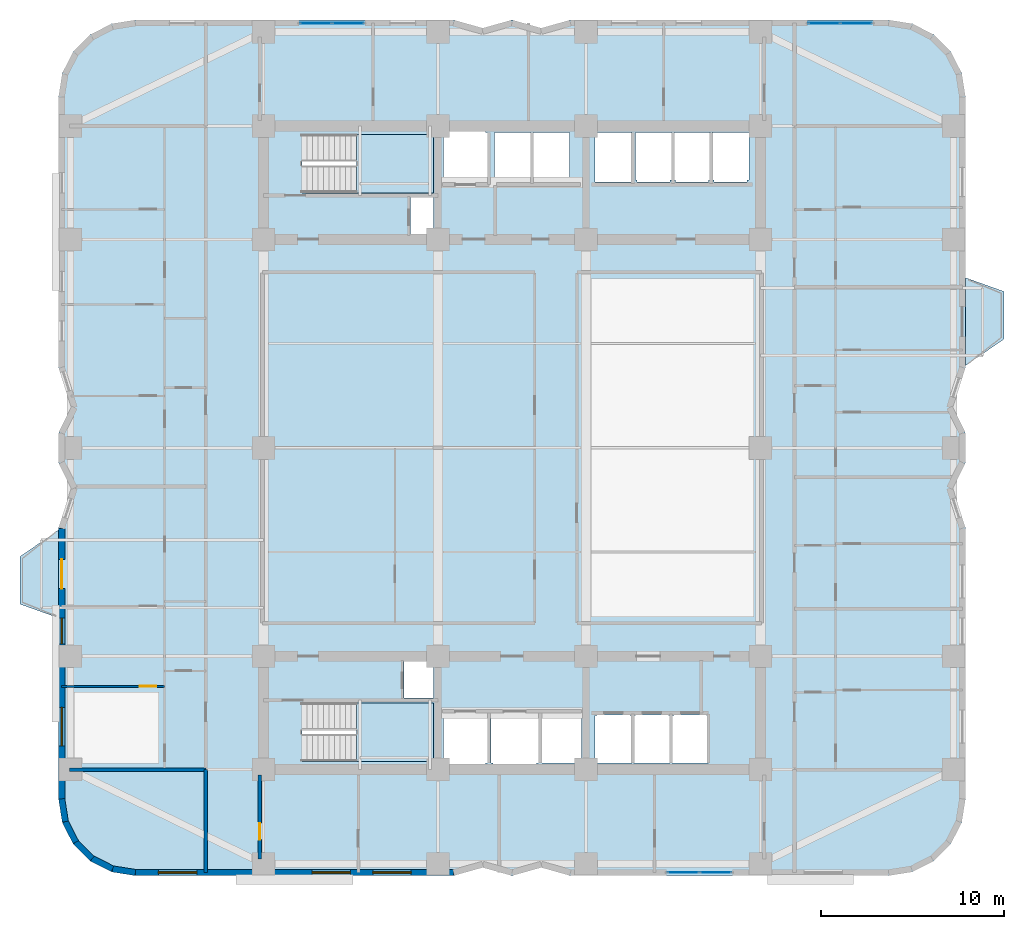
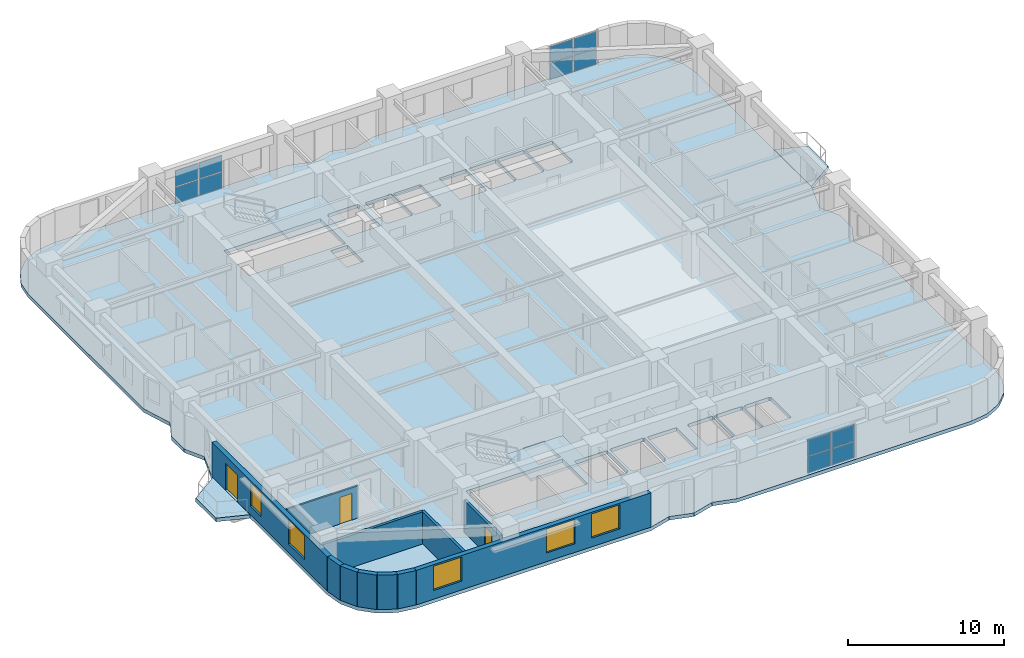
# One storey, part 5 of 13: 12 plates, 11 walls, 5 slabs, 5 windows, 3 doors, 8 openings, 5 elements without a shape of their own.
"""IFC4 building model written with IfcOpenShell, lengths in metres."""

import ifcopenshell
import ifcopenshell.guid

model = None  # the IFC model being written
_history = None  # IfcOwnerHistory: only IFC2X3 demands one
_inside = {}  # id of a spatial element -> (the spatial element, [elements in it])
_under = {}  # id of a project, library or spatial element -> (it, [spatial elements below it])
_declared = {}  # id of a project -> (the project, [libraries it declares])
_typed = {}  # id of a type object -> (the type object, [elements of that type])
_made_of = {}  # id of a material, layer set ... -> (it, [elements and type objects made of it])


def new_model(schema):
    """Start an empty IFC model of exactly this schema.

    Asked for "IFC4X3", IfcOpenShell would pick the latest addendum, in which some entities
    have other attributes; the version numbers below select the first issue.
    IFC2X3 requires an IfcOwnerHistory on every rooted entity: one is made here for all.
    """
    global model, _history
    if schema == "IFC4X3":
        model = ifcopenshell.file(schema_version=(4, 3, 0, 0))
    else:
        model = ifcopenshell.file(schema=schema)
    _inside.clear()
    _under.clear()
    _declared.clear()
    _typed.clear()
    _made_of.clear()
    _history = None
    if model.schema == "IFC2X3":
        org = make("IfcOrganization", Name="unknown")
        user = make(
            "IfcPersonAndOrganization",
            ThePerson=make("IfcPerson", FamilyName="unknown"),
            TheOrganization=org,
        )
        app = make(
            "IfcApplication",
            ApplicationDeveloper=org,
            Version="unknown",
            ApplicationFullName="unknown",
            ApplicationIdentifier="unknown",
        )
        _history = make(
            "IfcOwnerHistory",
            OwningUser=user,
            OwningApplication=app,
            ChangeAction="ADDED",
            CreationDate=0,
        )
    return model


def make(cls, **values):
    """One entity of the class cls with the attributes given. An attribute that is None is left unset."""
    return model.create_entity(
        cls, **{name: value for name, value in values.items() if value is not None}
    )


def rooted(cls, **values):
    """An entity with a GlobalId (a new one), such as an element, a storey or a relation."""
    return make(cls, GlobalId=ifcopenshell.guid.new(), OwnerHistory=_history, **values)


def si_unit(unit_type, name, prefix=None):
    """IfcSIUnit, for example si_unit("LENGTHUNIT", "METRE", prefix="MILLI")."""
    return make("IfcSIUnit", UnitType=unit_type, Prefix=prefix, Name=name)


def assignment(units):
    """IfcUnitAssignment: the units of a project."""
    return None if units is None else make("IfcUnitAssignment", Units=units)


def point(xyz):
    """IfcCartesianPoint."""
    return None if xyz is None else make("IfcCartesianPoint", Coordinates=xyz)


def direction(xyz):
    """IfcDirection."""
    return None if xyz is None else make("IfcDirection", DirectionRatios=xyz)


def frame(location, z_axis=None, x_axis=None):
    """IfcAxis2Placement3D, a coordinate frame: its origin and axes. An axis left out is left unset."""
    return make(
        "IfcAxis2Placement3D",
        Location=point(location),
        Axis=direction(z_axis),
        RefDirection=direction(x_axis),
    )


def frame_2d(location, x_axis=None):
    """IfcAxis2Placement2D, a coordinate frame in the plane: its origin and x axis."""
    return make(
        "IfcAxis2Placement2D", Location=point(location), RefDirection=direction(x_axis)
    )


def origin():
    """The frame at (0, 0, 0) with its axes left unset."""
    return frame((0.0, 0.0, 0.0))


def origin_2d():
    """The frame at (0, 0) in the plane with its x axis left unset."""
    return frame_2d((0.0, 0.0))


def place(relative_to, where):
    """IfcLocalPlacement: puts the frame where relative to a parent placement (None: the world)."""
    return make(
        "IfcLocalPlacement", PlacementRelTo=relative_to, RelativePlacement=where
    )


def context(
    kind, dimensions, precision=None, world=None, true_north=None, identifier=None
):
    """IfcGeometricRepresentationContext, for example the 3D "Model" context."""
    return make(
        "IfcGeometricRepresentationContext",
        ContextIdentifier=identifier,
        ContextType=kind,
        CoordinateSpaceDimension=dimensions,
        Precision=precision,
        WorldCoordinateSystem=world,
        TrueNorth=true_north,
    )


def subcontext(parent, identifier, kind, view, scale=None):
    """IfcGeometricRepresentationSubContext, for example "Body" below "Model"."""
    return make(
        "IfcGeometricRepresentationSubContext",
        ContextIdentifier=identifier,
        ContextType=kind,
        ParentContext=parent,
        TargetScale=scale,
        TargetView=view,
    )


def project(units=None, contexts=None):
    """IfcProject with its units and contexts."""
    return rooted(
        "IfcProject",
        Name="project",
        RepresentationContexts=contexts,
        UnitsInContext=assignment(units),
    )


def spatial(cls, under=None, at=None, **own):
    """A site, building, storey or space (cls), placed at a placement, below another one or the project."""
    s = rooted(cls, ObjectPlacement=at, **own)
    if under is not None:
        _under.setdefault(under.id(), (under, []))[1].append(s)
    return s


def polyline(points):
    """IfcPolyline through the points."""
    return make("IfcPolyline", Points=[point(p) for p in points])


def profile(cls, at=None, kind="AREA", **sizes):
    """A parametric profile (cls). Its sizes go by their IFC names, for example OverallWidth=200.0."""
    return make(cls, ProfileType=kind, Position=at, **sizes)


def rectangle(**sizes):
    """IfcRectangleProfileDef."""
    return profile("IfcRectangleProfileDef", **sizes)


def outline(outer, holes=None, kind="AREA"):
    """IfcArbitraryClosedProfileDef: a profile drawn as a closed curve; with holes, ...WithVoids."""
    if holes is None:
        return make("IfcArbitraryClosedProfileDef", ProfileType=kind, OuterCurve=outer)
    return make(
        "IfcArbitraryProfileDefWithVoids",
        ProfileType=kind,
        OuterCurve=outer,
        InnerCurves=holes,
    )


def extrude(swept, where, along, depth):
    """IfcExtrudedAreaSolid: the profile swept, set in the frame where, extruded along a direction by depth."""
    return make(
        "IfcExtrudedAreaSolid",
        SweptArea=swept,
        Position=where,
        ExtrudedDirection=direction(along),
        Depth=depth,
    )


def shape(context_of_items, identifier, shape_type, items):
    """IfcShapeRepresentation: the items that make up one representation, for example the "Body"."""
    return make(
        "IfcShapeRepresentation",
        ContextOfItems=context_of_items,
        RepresentationIdentifier=identifier,
        RepresentationType=shape_type,
        Items=items,
    )


def material(Name=None, Category=None):
    """IfcMaterial."""
    return make("IfcMaterial", Name=Name, Category=Category)


def layer(
    of_material, thickness, ventilated=None, Name=None, Category=None, Priority=None
):
    """IfcMaterialLayer: one layer of a wall or slab, of a material (None: an air gap)."""
    return make(
        "IfcMaterialLayer",
        Material=of_material,
        LayerThickness=thickness,
        IsVentilated=ventilated,
        Name=Name,
        Category=Category,
        Priority=Priority,
    )


def layer_set(layers, Name=None):
    """IfcMaterialLayerSet."""
    return make("IfcMaterialLayerSet", MaterialLayers=layers, LayerSetName=Name)


def made_of(thing, what):
    """Note that an element or type object is made of a material, layer set ...; save() writes the relation."""
    if what is not None:
        _made_of.setdefault(what.id(), (what, []))[1].append(thing)
    return thing


def type_object(cls, material=None, **own):
    """A type object (cls), such as IfcWallType, which elements share."""
    return made_of(rooted(cls, **own), material)


def element(
    cls,
    number,
    at=None,
    inside=None,
    cuts=None,
    type_object=None,
    material=None,
    context=None,
    identifier="Body",
    shape_type=None,
    held_by="IfcProductDefinitionShape",
    body=None,
    shapes=None,
    **own,
):
    """One element of the class cls, such as IfcWall. Its Tag is "e" and its number.

    at: its placement. inside: the storey or other place that contains it. cuts: it is an
    opening in that element (IfcRelVoidsElement). A single representation is given by context,
    identifier, shape_type and body (its items); several are given by shapes. held_by: the class
    of the entity that holds the representations. save() writes the other relations.
    """
    e = rooted(cls, Tag="e%d" % number, ObjectPlacement=at, **own)
    if body is not None:
        shapes = [shape(context, identifier, shape_type, body)]
    if shapes is not None:
        e.Representation = make(held_by, Representations=shapes)
    if inside is not None:
        _inside.setdefault(inside.id(), (inside, []))[1].append(e)
    if cuts is not None:
        rooted(
            "IfcRelVoidsElement", RelatingBuildingElement=cuts, RelatedOpeningElement=e
        )
    if type_object is not None:
        _typed.setdefault(type_object.id(), (type_object, []))[1].append(e)
    return made_of(e, material)


def fill(opening, filler):
    """IfcRelFillsElement: the door or window that sits in an opening."""
    return rooted(
        "IfcRelFillsElement",
        RelatingOpeningElement=opening,
        RelatedBuildingElement=filler,
    )


def aggregate(whole, parts):
    """IfcRelAggregates: a whole, such as a stair, and the parts it consists of."""
    return rooted("IfcRelAggregates", RelatingObject=whole, RelatedObjects=parts)


def save(model, path):
    """Write the relations noted so far, then the file.

    IfcRelAggregates (storeys below a building ...), IfcRelContainedInSpatialStructure (elements
    in a storey), IfcRelDefinesByType, IfcRelAssociatesMaterial and IfcRelDeclares: one each for
    every whole, place, type object, material and project.
    """
    for whole, parts in _under.values():
        aggregate(whole, parts)
    for where, things in _inside.values():
        rooted(
            "IfcRelContainedInSpatialStructure",
            RelatedElements=things,
            RelatingStructure=where,
        )
    for kind, things in _typed.values():
        rooted("IfcRelDefinesByType", RelatedObjects=things, RelatingType=kind)
    for what, things in _made_of.values():
        rooted("IfcRelAssociatesMaterial", RelatedObjects=things, RelatingMaterial=what)
    for by, libraries in _declared.values():
        rooted("IfcRelDeclares", RelatingContext=by, RelatedDefinitions=libraries)
    model.write(path)


model = new_model("IFC4")

# Units and contexts
model_context = context("Model", 3, precision=1e-05, world=origin(), true_north=direction((0.0, 1.0)))
body_context = subcontext(model_context, "Body", "Model", "MODEL_VIEW")
ifc_project = project(units=[si_unit("LENGTHUNIT", "METRE"), si_unit("AREAUNIT", "SQUARE_METRE"), si_unit("VOLUMEUNIT", "CUBIC_METRE"), si_unit("PLANEANGLEUNIT", "RADIAN"), si_unit("MASSUNIT", "GRAM", prefix="KILO")], contexts=[model_context])

# Site, building, storey
site_placement = place(None, origin())
site = spatial("IfcSite", under=ifc_project, at=site_placement, CompositionType="ELEMENT")
building_placement = place(site_placement, origin())
building = spatial("IfcBuilding", under=site, at=building_placement, Name="Svetorya Sky Lyceum", CompositionType="ELEMENT")
storey_placement = place(building_placement, frame((0.0, 0.0, 58.39990234375)))
storey = spatial("IfcBuildingStorey", under=building, at=storey_placement, Name="L14", CompositionType="ELEMENT", Elevation=58.39990234375)

# Curtain wall, plates
ifc_material_1 = material(Name="Thermally broken anodized aluminium and triple low-E glass", Category="aluminium")
curtain_wall_type = type_object("IfcCurtainWallType", Name="CW3-LOG-RES", PredefinedType="NOTDEFINED", material=ifc_material_1)
curtain_wall_1_placement = place(storey_placement, origin())
curtain_wall_1 = element("IfcCurtainWall", 1, at=curtain_wall_1_placement, inside=storey, type_object=curtain_wall_type, Name="L14 Recessed Loggia Curtain Wall 11", PredefinedType="NOTDEFINED")
ifc_material_2 = material(Name="Triple insulated low-E solar-control glass", Category="glass")
ifc_layer_1 = layer(ifc_material_2, 0.048095703125)
ifc_layer_set_1 = layer_set([ifc_layer_1], Name="Triple insulated low-E solar-control glass")
plate_type = type_object("IfcPlateType", Name="CWP-GLZ-48", PredefinedType="CURTAIN_PANEL", material=ifc_layer_set_1)
plate_1_placement = place(storey_placement, frame((48.566162109375, 4.969970703125, 0.0634765625), z_axis=(0.0, 0.0, 1.0), x_axis=(1.0, 0.0, 0.0)))
plate_1 = element("IfcPlate", 2, at=plate_1_placement, type_object=plate_type, Name="CW-3 panel 1.1", PredefinedType="CURTAIN_PANEL", context=body_context, shape_type="SweptSolid", body=[
    extrude(rectangle(XDim=1.70556640625, YDim=0.048095703125, at=origin_2d()), origin(), (0.0, 0.0, 1.0), 1.255615234375),
])
plate_2_placement = place(storey_placement, frame((48.566162109375, 4.969970703125, 1.380859375), z_axis=(0.0, 0.0, 1.0), x_axis=(1.0, 0.0, 0.0)))
plate_2 = element("IfcPlate", 3, at=plate_2_placement, type_object=plate_type, Name="CW-3 panel 1.2", PredefinedType="CURTAIN_PANEL", context=body_context, shape_type="SweptSolid", body=[
    extrude(rectangle(XDim=1.70556640625, YDim=0.048095703125, at=origin_2d()), origin(), (0.0, 0.0, 1.0), 1.255615234375),
])
plate_3_placement = place(storey_placement, frame((50.333740234375, 4.969970703125, 0.0634765625), z_axis=(0.0, 0.0, 1.0), x_axis=(1.0, 0.0, 0.0)))
plate_3 = element("IfcPlate", 4, at=plate_3_placement, type_object=plate_type, Name="CW-3 panel 2.1", PredefinedType="CURTAIN_PANEL", context=body_context, shape_type="SweptSolid", body=[
    extrude(rectangle(XDim=1.70556640625, YDim=0.048095703125, at=origin_2d()), origin(), (0.0, 0.0, 1.0), 1.255615234375),
])
plate_4_placement = place(storey_placement, frame((50.333740234375, 4.969970703125, 1.380859375), z_axis=(0.0, 0.0, 1.0), x_axis=(1.0, 0.0, 0.0)))
plate_4 = element("IfcPlate", 5, at=plate_4_placement, type_object=plate_type, Name="CW-3 panel 2.2", PredefinedType="CURTAIN_PANEL", context=body_context, shape_type="SweptSolid", body=[
    extrude(rectangle(XDim=1.70556640625, YDim=0.048095703125, at=origin_2d()), origin(), (0.0, 0.0, 1.0), 1.255615234375),
])
aggregate(curtain_wall_1, [plate_1, plate_2, plate_3, plate_4])

curtain_wall_2_placement = place(storey_placement, origin())
curtain_wall_2 = element("IfcCurtainWall", 6, at=curtain_wall_2_placement, inside=storey, type_object=curtain_wall_type, Name="L14 Recessed Loggia Curtain Wall 29", PredefinedType="NOTDEFINED")
plate_5_placement = place(storey_placement, frame((58.03369140625, 51.429931640625, 0.0634765625), z_axis=(0.0, 0.0, 1.0), x_axis=(-1.0, 0.0, 0.0)))
plate_5 = element("IfcPlate", 7, at=plate_5_placement, type_object=plate_type, Name="CW-3 panel 1.1", PredefinedType="CURTAIN_PANEL", context=body_context, shape_type="SweptSolid", body=[
    extrude(rectangle(XDim=1.70556640625, YDim=0.048095703125, at=origin_2d()), origin(), (0.0, 0.0, 1.0), 1.255615234375),
])
plate_6_placement = place(storey_placement, frame((58.03369140625, 51.429931640625, 1.380859375), z_axis=(0.0, 0.0, 1.0), x_axis=(-1.0, 0.0, 0.0)))
plate_6 = element("IfcPlate", 8, at=plate_6_placement, type_object=plate_type, Name="CW-3 panel 1.2", PredefinedType="CURTAIN_PANEL", context=body_context, shape_type="SweptSolid", body=[
    extrude(rectangle(XDim=1.70556640625, YDim=0.048095703125, at=origin_2d()), origin(), (0.0, 0.0, 1.0), 1.255615234375),
])
plate_7_placement = place(storey_placement, frame((56.266357421875, 51.429931640625, 0.0634765625), z_axis=(0.0, 0.0, 1.0), x_axis=(-1.0, 0.0, 0.0)))
plate_7 = element("IfcPlate", 9, at=plate_7_placement, type_object=plate_type, Name="CW-3 panel 2.1", PredefinedType="CURTAIN_PANEL", context=body_context, shape_type="SweptSolid", body=[
    extrude(rectangle(XDim=1.70556640625, YDim=0.048095703125, at=origin_2d()), origin(), (0.0, 0.0, 1.0), 1.255615234375),
])
plate_8_placement = place(storey_placement, frame((56.266357421875, 51.429931640625, 1.380859375), z_axis=(0.0, 0.0, 1.0), x_axis=(-1.0, 0.0, 0.0)))
plate_8 = element("IfcPlate", 10, at=plate_8_placement, type_object=plate_type, Name="CW-3 panel 2.2", PredefinedType="CURTAIN_PANEL", context=body_context, shape_type="SweptSolid", body=[
    extrude(rectangle(XDim=1.70556640625, YDim=0.048095703125, at=origin_2d()), origin(), (0.0, 0.0, 1.0), 1.255615234375),
])
aggregate(curtain_wall_2, [plate_5, plate_6, plate_7, plate_8])

curtain_wall_3_placement = place(storey_placement, origin())
curtain_wall_3 = element("IfcCurtainWall", 11, at=curtain_wall_3_placement, inside=storey, type_object=curtain_wall_type, Name="L14 Recessed Loggia Curtain Wall 34", PredefinedType="NOTDEFINED")
plate_9_placement = place(storey_placement, frame((30.233642578125, 51.429931640625, 0.0634765625), z_axis=(0.0, 0.0, 1.0), x_axis=(-1.0, 0.0, 0.0)))
plate_9 = element("IfcPlate", 12, at=plate_9_placement, type_object=plate_type, Name="CW-3 panel 1.1", PredefinedType="CURTAIN_PANEL", context=body_context, shape_type="SweptSolid", body=[
    extrude(rectangle(XDim=1.70556640625, YDim=0.048095703125, at=origin_2d()), origin(), (0.0, 0.0, 1.0), 1.255615234375),
])
plate_10_placement = place(storey_placement, frame((30.233642578125, 51.429931640625, 1.380859375), z_axis=(0.0, 0.0, 1.0), x_axis=(-1.0, 0.0, 0.0)))
plate_10 = element("IfcPlate", 13, at=plate_10_placement, type_object=plate_type, Name="CW-3 panel 1.2", PredefinedType="CURTAIN_PANEL", context=body_context, shape_type="SweptSolid", body=[
    extrude(rectangle(XDim=1.70556640625, YDim=0.048095703125, at=origin_2d()), origin(), (0.0, 0.0, 1.0), 1.255615234375),
])
plate_11_placement = place(storey_placement, frame((28.46630859375, 51.429931640625, 0.0634765625), z_axis=(0.0, 0.0, 1.0), x_axis=(-1.0, 0.0, 0.0)))
plate_11 = element("IfcPlate", 14, at=plate_11_placement, type_object=plate_type, Name="CW-3 panel 2.1", PredefinedType="CURTAIN_PANEL", context=body_context, shape_type="SweptSolid", body=[
    extrude(rectangle(XDim=1.70556640625, YDim=0.048095703125, at=origin_2d()), origin(), (0.0, 0.0, 1.0), 1.255615234375),
])
plate_12_placement = place(storey_placement, frame((28.46630859375, 51.429931640625, 1.380859375), z_axis=(0.0, 0.0, 1.0), x_axis=(-1.0, 0.0, 0.0)))
plate_12 = element("IfcPlate", 15, at=plate_12_placement, type_object=plate_type, Name="CW-3 panel 2.2", PredefinedType="CURTAIN_PANEL", context=body_context, shape_type="SweptSolid", body=[
    extrude(rectangle(XDim=1.70556640625, YDim=0.048095703125, at=origin_2d()), origin(), (0.0, 0.0, 1.0), 1.255615234375),
])
aggregate(curtain_wall_3, [plate_9, plate_10, plate_11, plate_12])

# Slabs
ifc_material_3 = material(Name="Concrete C40/50", Category="concrete")
ifc_layer_2 = layer(ifc_material_3, 0.280029296875)
ifc_layer_set_2 = layer_set([ifc_layer_2], Name="Concrete C40/50")
slab_type_1 = type_object("IfcSlabType", Name="SL-BAL-280", PredefinedType="FLOOR", material=ifc_layer_set_2)
slab_1_placement = place(storey_placement, frame((0.0, 0.0, -0.27978515625)))
element("IfcSlab", 16, at=slab_1_placement, inside=storey, type_object=slab_type_1, Name="L14 Chamfered Loggia Balcony BAL-W1", PredefinedType="FLOOR", context=body_context, shape_type="SweptSolid", body=[
    extrude(outline(polyline([(14.389892578125, 18.89990234375), (14.389892578125, 23.699951171875), (12.2900390625, 22.25), (12.2900390625, 19.64990234375), (14.389892578125, 18.89990234375)])), origin(), (0.0, 0.0, 1.0), 0.27978515625),
])
slab_2_placement = place(storey_placement, frame((0.0, 0.0, -0.27978515625)))
element("IfcSlab", 17, at=slab_2_placement, inside=storey, type_object=slab_type_1, Name="L14 Chamfered Loggia Balcony BAL-E1", PredefinedType="FLOOR", context=body_context, shape_type="SweptSolid", body=[
    extrude(outline(polyline([(64.010009765625, 32.699951171875), (66.110107421875, 34.14990234375), (66.110107421875, 36.75), (64.010009765625, 37.5), (64.010009765625, 32.699951171875)])), origin(), (0.0, 0.0, 1.0), 0.27978515625),
])

# Stair, slab
stair_type_1 = type_object("IfcStairType", Name="STR-ST-S", PredefinedType="HALF_TURN_STAIR", material=ifc_material_3)
stair_1_placement = place(storey_placement, origin())
stair_1 = element("IfcStair", 18, at=stair_1_placement, inside=storey, type_object=stair_type_1, Name="L14 South Core Smoke-Free Exit Stair N2", PredefinedType="HALF_TURN_STAIR")
ifc_layer_3 = layer(ifc_material_3, 0.199951171875)
ifc_layer_set_3 = layer_set([ifc_layer_3], Name="Concrete C40/50")
slab_type_2 = type_object("IfcSlabType", Name="SL-STR-LAND-200", PredefinedType="LANDING", material=ifc_layer_set_3)
slab_3_placement = place(storey_placement, frame((0.0, 0.0, 1.650146484375)))
slab_3 = element("IfcSlab", 19, at=slab_3_placement, type_object=slab_type_2, Name="ST-S landing 1", PredefinedType="LANDING", context=body_context, shape_type="SweptSolid", body=[
    extrude(outline(polyline([(30.699951171875, 11.050048828125), (34.89990234375, 11.050048828125), (34.89990234375, 14.25), (30.699951171875, 14.25), (30.699951171875, 11.050048828125)])), origin(), (0.0, 0.0, 1.0), 0.199951171875),
])
aggregate(stair_1, [slab_3])

stair_type_2 = type_object("IfcStairType", Name="STR-ST-N", PredefinedType="HALF_TURN_STAIR", material=ifc_material_3)
stair_2_placement = place(storey_placement, origin())
stair_2 = element("IfcStair", 20, at=stair_2_placement, inside=storey, type_object=stair_type_2, Name="L14 North Core Smoke-Free Exit Stair N3", PredefinedType="HALF_TURN_STAIR")
slab_4_placement = place(storey_placement, frame((0.0, 0.0, 1.650146484375)))
slab_4 = element("IfcSlab", 21, at=slab_4_placement, type_object=slab_type_2, Name="ST-N landing 1", PredefinedType="LANDING", context=body_context, shape_type="SweptSolid", body=[
    extrude(outline(polyline([(30.699951171875, 42.14990234375), (34.89990234375, 42.14990234375), (34.89990234375, 45.35009765625), (30.699951171875, 45.35009765625), (30.699951171875, 42.14990234375)])), origin(), (0.0, 0.0, 1.0), 0.199951171875),
])
aggregate(stair_2, [slab_4])

# Slab
ifc_material_4 = material(Name="Concrete C50/60", Category="concrete")
ifc_layer_4 = layer(ifc_material_4, 0.280029296875)
ifc_layer_set_4 = layer_set([ifc_layer_4], Name="Concrete C50/60")
slab_type_3 = type_object("IfcSlabType", Name="SL-TWR-280", PredefinedType="FLOOR", material=ifc_layer_set_4)
slab_5_placement = place(storey_placement, frame((0.0, 0.0, -0.27978515625)))
element("IfcSlab", 22, at=slab_5_placement, inside=storey, type_object=slab_type_3, Name="L14 Structural Floor Slab", PredefinedType="FLOOR", context=body_context, shape_type="SweptSolid", body=[
    extrude(outline(polyline([(14.39990234375, 9.0), (14.605712890625, 7.7021484375), (15.2021484375, 6.53125), (16.13134765625, 5.60205078125), (17.302001953125, 5.005615234375), (18.60009765625, 4.800048828125), (36.0, 4.800048828125), (37.60009765625, 5.25), (39.199951171875, 4.800048828125), (40.800048828125, 5.25), (42.39990234375, 4.800048828125), (59.800048828125, 4.800048828125), (61.097900390625, 5.005615234375), (62.268798828125, 5.60205078125), (63.197998046875, 6.53125), (63.79443359375, 7.7021484375), (64.0, 9.0), (64.0, 23.800048828125), (63.300048828125, 26.0), (64.0, 27.39990234375), (64.0, 29.0), (63.300048828125, 30.39990234375), (64.0, 32.60009765625), (64.0, 47.39990234375), (63.79443359375, 48.697998046875), (63.197998046875, 49.86865234375), (62.268798828125, 50.7978515625), (61.097900390625, 51.394287109375), (59.800048828125, 51.60009765625), (42.39990234375, 51.60009765625), (40.800048828125, 51.14990234375), (39.199951171875, 51.60009765625), (37.60009765625, 51.14990234375), (36.0, 51.60009765625), (18.60009765625, 51.60009765625), (17.302001953125, 51.394287109375), (16.13134765625, 50.7978515625), (15.2021484375, 49.86865234375), (14.605712890625, 48.697998046875), (14.39990234375, 47.39990234375), (14.39990234375, 32.60009765625), (15.10009765625, 30.39990234375), (14.39990234375, 29.0), (14.39990234375, 27.39990234375), (15.10009765625, 26.0), (14.39990234375, 23.800048828125), (14.39990234375, 9.0)]), holes=[polyline([(35.550048828125, 13.64990234375), (37.75, 13.64990234375), (37.85009765625, 13.64990234375), (37.85009765625, 10.949951171875), (37.75, 10.949951171875), (37.75, 10.85009765625), (35.550048828125, 10.85009765625), (35.550048828125, 10.949951171875), (35.449951171875, 10.949951171875), (35.449951171875, 13.64990234375), (35.550048828125, 13.64990234375)]), polyline([(40.64990234375, 10.949951171875), (40.550048828125, 10.949951171875), (40.550048828125, 10.800048828125), (38.14990234375, 10.800048828125), (38.14990234375, 10.949951171875), (38.050048828125, 10.949951171875), (38.050048828125, 13.64990234375), (38.14990234375, 13.64990234375), (38.14990234375, 13.699951171875), (40.550048828125, 13.699951171875), (40.550048828125, 13.64990234375), (40.64990234375, 13.64990234375), (40.64990234375, 10.949951171875)]), polyline([(40.85009765625, 13.64990234375), (43.0, 13.64990234375), (43.0, 10.949951171875), (40.85009765625, 10.949951171875), (40.85009765625, 13.64990234375)]), polyline([(27.719970703125, 14.25), (34.89990234375, 14.25), (34.89990234375, 11.050048828125), (27.719970703125, 11.050048828125), (27.719970703125, 14.25)]), polyline([(33.300048828125, 16.580078125), (34.89990234375, 16.580078125), (34.89990234375, 14.52001953125), (33.300048828125, 14.52001953125), (33.300048828125, 16.580078125)]), polyline([(33.64990234375, 39.820068359375), (33.64990234375, 41.89990234375), (34.89990234375, 41.89990234375), (34.89990234375, 39.820068359375), (33.64990234375, 39.820068359375)]), polyline([(27.719970703125, 45.35009765625), (34.89990234375, 45.35009765625), (34.89990234375, 42.14990234375), (27.719970703125, 42.14990234375), (27.719970703125, 45.35009765625)]), polyline([(35.550048828125, 42.75), (35.449951171875, 42.75), (35.449951171875, 45.449951171875), (35.550048828125, 45.449951171875), (35.550048828125, 45.550048828125), (37.75, 45.550048828125), (37.75, 45.449951171875), (37.85009765625, 45.449951171875), (37.85009765625, 42.75), (37.75, 42.75), (35.550048828125, 42.75)]), polyline([(40.199951171875, 42.85009765625), (40.199951171875, 42.75), (38.39990234375, 42.75), (38.39990234375, 42.85009765625), (38.25, 42.85009765625), (38.25, 45.449951171875), (38.39990234375, 45.449951171875), (40.199951171875, 45.449951171875), (40.25, 45.449951171875), (40.25, 42.85009765625), (40.199951171875, 42.85009765625)]), polyline([(40.39990234375, 42.85009765625), (40.35009765625, 42.85009765625), (40.35009765625, 45.449951171875), (40.39990234375, 45.449951171875), (42.300048828125, 45.449951171875), (42.35009765625, 45.449951171875), (42.35009765625, 42.85009765625), (42.300048828125, 42.85009765625), (42.300048828125, 42.75), (40.39990234375, 42.75), (40.39990234375, 42.85009765625)]), polyline([(43.85009765625, 10.949951171875), (43.75, 10.949951171875), (43.75, 13.550048828125), (43.85009765625, 13.550048828125), (43.85009765625, 13.60009765625), (45.64990234375, 13.60009765625), (45.64990234375, 13.550048828125), (45.75, 13.550048828125), (45.75, 10.949951171875), (45.64990234375, 10.949951171875), (43.85009765625, 10.949951171875)]), polyline([(45.949951171875, 10.949951171875), (45.85009765625, 10.949951171875), (45.85009765625, 13.550048828125), (45.949951171875, 13.550048828125), (45.949951171875, 13.60009765625), (47.75, 13.60009765625), (47.75, 13.550048828125), (47.85009765625, 13.550048828125), (47.85009765625, 10.949951171875), (47.75, 10.949951171875), (45.949951171875, 10.949951171875)]), polyline([(49.85009765625, 13.550048828125), (49.949951171875, 13.550048828125), (49.949951171875, 10.949951171875), (49.85009765625, 10.949951171875), (48.050048828125, 10.949951171875), (47.949951171875, 10.949951171875), (47.949951171875, 13.550048828125), (48.050048828125, 13.550048828125), (48.050048828125, 13.60009765625), (49.85009765625, 13.60009765625), (49.85009765625, 13.550048828125)]), polyline([(43.75, 42.85009765625), (43.75, 45.449951171875), (45.699951171875, 45.449951171875), (45.75, 45.449951171875), (45.75, 42.85009765625), (45.699951171875, 42.85009765625), (45.699951171875, 42.75), (43.75, 42.75), (43.75, 42.85009765625)]), polyline([(46.050048828125, 42.85009765625), (45.949951171875, 42.85009765625), (45.949951171875, 45.449951171875), (46.050048828125, 45.449951171875), (47.85009765625, 45.449951171875), (47.949951171875, 45.449951171875), (47.949951171875, 42.85009765625), (47.85009765625, 42.85009765625), (47.85009765625, 42.75), (46.050048828125, 42.75), (46.050048828125, 42.85009765625)]), polyline([(48.14990234375, 42.85009765625), (48.050048828125, 42.85009765625), (48.050048828125, 45.449951171875), (48.14990234375, 45.449951171875), (49.949951171875, 45.449951171875), (50.050048828125, 45.449951171875), (50.050048828125, 42.85009765625), (49.949951171875, 42.85009765625), (49.949951171875, 42.75), (48.14990234375, 42.75), (48.14990234375, 42.85009765625)]), polyline([(50.25, 42.85009765625), (50.14990234375, 42.85009765625), (50.14990234375, 45.449951171875), (50.25, 45.449951171875), (52.050048828125, 45.449951171875), (52.14990234375, 45.449951171875), (52.14990234375, 42.85009765625), (52.050048828125, 42.85009765625), (52.050048828125, 42.75), (50.25, 42.75), (50.25, 42.85009765625)])]), origin(), (0.0, 0.0, 1.0), 0.27978515625),
])

# Walls
ifc_material_5 = material(Name="Putilovo limestone rainscreen on autoclaved cellular masonry", Category="masonry")
ifc_layer_5 = layer(ifc_material_5, 0.340087890625)
ifc_layer_set_5 = layer_set([ifc_layer_5], Name="Putilovo limestone rainscreen on autoclaved cellular masonry")
wall_type_1 = type_object("IfcWallType", Name="WL-EXT-340", PredefinedType="SOLIDWALL", material=ifc_layer_set_5)
wall_1_placement = place(storey_placement, frame((14.570068359375, 9.0, 0.0), z_axis=(0.0, 0.0, 1.0), x_axis=(0.156260864002, -0.98771582066, 0.0)))
element("IfcWall", 23, at=wall_1_placement, inside=storey, type_object=wall_type_1, Name="L14 Limestone Exterior Wall 1M", PredefinedType="SOLIDWALL", context=body_context, shape_type="SweptSolid", body=[
    extrude(rectangle(XDim=1.2607421875, YDim=0.340087890625, at=frame_2d((0.63037109375, 0.0))), origin(), (0.0, 0.0, 1.0), 2.7001953125),
])
wall_2_placement = place(storey_placement, frame((14.76708984375, 7.754638671875, 0.0), z_axis=(0.0, 0.0, 1.0), x_axis=(0.454015689056, -0.890993689142, 0.0)))
element("IfcWall", 24, at=wall_2_placement, inside=storey, type_object=wall_type_1, Name="L14 Limestone Exterior Wall 2M", PredefinedType="SOLIDWALL", context=body_context, shape_type="SweptSolid", body=[
    extrude(rectangle(XDim=1.260986328125, YDim=0.340087890625, at=frame_2d((0.63037109375, 0.0))), origin(), (0.0, 0.0, 1.0), 2.7001953125),
])
wall_3_placement = place(storey_placement, frame((15.339599609375, 6.631103515625, 0.0), z_axis=(0.0, 0.0, 1.0), x_axis=(0.707203598708, -0.707009950407, 0.0)))
element("IfcWall", 25, at=wall_3_placement, inside=storey, type_object=wall_type_1, Name="L14 Limestone Exterior Wall 3M", PredefinedType="SOLIDWALL", context=body_context, shape_type="SweptSolid", body=[
    extrude(rectangle(XDim=1.2607421875, YDim=0.340087890625, at=frame_2d((0.63037109375, 0.0))), origin(), (0.0, 0.0, 1.0), 2.7001953125),
])
for number, where, z_axis, x_axis, name in (
    (26, (16.231201171875, 5.73974609375, 0.0), (0.0, 0.0, 1.0), (0.890993689142, -0.454015689056, 0.0), "L14 Limestone Exterior Wall 4M"),
    (27, (17.354736328125, 5.167236328125, 0.0), (0.0, 0.0, 1.0), (0.987685918112, -0.15644975923, 0.0), "L14 Limestone Exterior Wall 5M"),
):
    element("IfcWall", number, at=place(storey_placement, frame(where, z_axis=z_axis, x_axis=x_axis)), inside=storey, type_object=wall_type_1, Name=name, PredefinedType="SOLIDWALL", context=body_context, shape_type="SweptSolid", body=[
        extrude(rectangle(XDim=1.260986328125, YDim=0.340087890625, at=frame_2d((0.63037109375, 0.0))), origin(), (0.0, 0.0, 1.0), 2.7001953125),
    ])

# Wall, openings, windows
wall_4_placement = place(storey_placement, frame((18.60009765625, 4.969970703125, 0.0), z_axis=(0.0, 0.0, 1.0), x_axis=(1.0, 0.0, 0.0)))
wall_4 = element("IfcWall", 28, at=wall_4_placement, inside=storey, type_object=wall_type_1, Name="L14 Limestone Exterior Wall 6M", PredefinedType="SOLIDWALL", context=body_context, shape_type="SweptSolid", body=[
    extrude(rectangle(XDim=17.39990234375, YDim=0.340087890625, at=frame_2d((8.699951171875, 0.0))), origin(), (0.0, 0.0, 1.0), 2.7001953125),
])
opening_1_placement = place(wall_4_placement, frame((1.262451171875, 0.0, 0.679931640625)))
opening_1 = element("IfcOpeningElement", 29, at=opening_1_placement, cuts=wall_4, Name="Opening W-R0", PredefinedType="OPENING", context=body_context, shape_type="SweptSolid", body=[
    extrude(rectangle(XDim=2.10009765625, YDim=1.89990234375, at=frame_2d((1.050048828125, 0.949951171875))), frame((0.0, 0.179931640625, 0.0), z_axis=(0.0, -1.0, 0.0), x_axis=(1.0, 0.0, 0.0)), (0.0, 0.0, 1.0), 0.360107421875),
])
opening_2_placement = place(wall_4_placement, frame((9.66259765625, 0.0, 0.679931640625)))
opening_2 = element("IfcOpeningElement", 30, at=opening_2_placement, cuts=wall_4, Name="Opening W-R0", PredefinedType="OPENING", context=body_context, shape_type="SweptSolid", body=[
    extrude(rectangle(XDim=2.10009765625, YDim=1.89990234375, at=frame_2d((1.050048828125, 0.949951171875))), frame((0.0, 0.179931640625, 0.0), z_axis=(0.0, -1.0, 0.0), x_axis=(1.0, 0.0, 0.0)), (0.0, 0.0, 1.0), 0.360107421875),
])
opening_3_placement = place(wall_4_placement, frame((12.987548828125, 0.0, 0.679931640625)))
opening_3 = element("IfcOpeningElement", 31, at=opening_3_placement, cuts=wall_4, Name="Opening W-R0", PredefinedType="OPENING", context=body_context, shape_type="SweptSolid", body=[
    extrude(rectangle(XDim=2.10009765625, YDim=1.89990234375, at=frame_2d((1.050048828125, 0.949951171875))), frame((0.0, 0.179931640625, 0.0), z_axis=(0.0, -1.0, 0.0), x_axis=(1.0, 0.0, 0.0)), (0.0, 0.0, 1.0), 0.360107421875),
])
ifc_material_6 = material(Name="Thermally broken aluminium frame with triple low-E glazing", Category="aluminium")
window_type_1 = type_object("IfcWindowType", Name="WN-RES-210", PartitioningType="TRIPLE_PANEL_VERTICAL", PredefinedType="WINDOW", material=ifc_material_6)
window_1_placement = place(opening_1_placement, origin())
window_1 = element("IfcWindow", 32, at=window_1_placement, inside=storey, type_object=window_type_1, Name="L14 Facade Window W-R0.6M.1", OverallHeight=1.89990234375, OverallWidth=2.10009765625, PartitioningType="SINGLE_PANEL", PredefinedType="WINDOW", context=body_context, shape_type="SweptSolid", body=[
    extrude(rectangle(XDim=2.10009765625, YDim=1.89990234375, at=frame_2d((1.050048828125, 0.949951171875))), frame((0.0, 0.030029296875, 0.0), z_axis=(0.0, -1.0, 0.0), x_axis=(1.0, 0.0, 0.0)), (0.0, 0.0, 1.0), 0.06005859375),
])
fill(opening_1, window_1)
window_2_placement = place(opening_2_placement, origin())
window_2 = element("IfcWindow", 33, at=window_2_placement, inside=storey, type_object=window_type_1, Name="L14 Facade Window W-R0.6M.2", OverallHeight=1.89990234375, OverallWidth=2.10009765625, PartitioningType="SINGLE_PANEL", PredefinedType="WINDOW", context=body_context, shape_type="SweptSolid", body=[
    extrude(rectangle(XDim=2.10009765625, YDim=1.89990234375, at=frame_2d((1.050048828125, 0.949951171875))), frame((0.0, 0.030029296875, 0.0), z_axis=(0.0, -1.0, 0.0), x_axis=(1.0, 0.0, 0.0)), (0.0, 0.0, 1.0), 0.06005859375),
])
fill(opening_2, window_2)
window_3_placement = place(opening_3_placement, origin())
window_3 = element("IfcWindow", 34, at=window_3_placement, inside=storey, type_object=window_type_1, Name="L14 Facade Window W-R0.6M.3", OverallHeight=1.89990234375, OverallWidth=2.10009765625, PartitioningType="SINGLE_PANEL", PredefinedType="WINDOW", context=body_context, shape_type="SweptSolid", body=[
    extrude(rectangle(XDim=2.10009765625, YDim=1.89990234375, at=frame_2d((1.050048828125, 0.949951171875))), frame((0.0, 0.030029296875, 0.0), z_axis=(0.0, -1.0, 0.0), x_axis=(1.0, 0.0, 0.0)), (0.0, 0.0, 1.0), 0.06005859375),
])
fill(opening_3, window_3)

# Wall, openings, door, windows
wall_5_placement = place(storey_placement, frame((14.570068359375, 23.800048828125, 0.0), z_axis=(0.0, 0.0, 1.0), x_axis=(0.0, -1.0, 0.0)))
wall_5 = element("IfcWall", 35, at=wall_5_placement, inside=storey, type_object=wall_type_1, Name="L14 Limestone Exterior Wall 46M", PredefinedType="SOLIDWALL", context=body_context, shape_type="SweptSolid", body=[
    extrude(rectangle(XDim=14.800048828125, YDim=0.340087890625, at=frame_2d((7.39990234375, 0.0))), origin(), (0.0, 0.0, 1.0), 2.7001953125),
])
opening_4_placement = place(wall_5_placement, frame((1.699951171875, 0.0, 0.0)))
opening_4 = element("IfcOpeningElement", 36, at=opening_4_placement, cuts=wall_5, Name="Opening D-BL1", PredefinedType="OPENING", context=body_context, shape_type="SweptSolid", body=[
    extrude(rectangle(XDim=1.60009765625, YDim=2.10009765625, at=frame_2d((0.800048828125, 1.050048828125))), frame((0.0, 0.179931640625, 0.0), z_axis=(0.0, -1.0, 0.0), x_axis=(1.0, 0.0, 0.0)), (0.0, 0.0, 1.0), 0.360107421875),
])
opening_5_placement = place(wall_5_placement, frame((4.919921875, 0.0, 0.68994140625)))
opening_5 = element("IfcOpeningElement", 37, at=opening_5_placement, cuts=wall_5, Name="Opening W-R2", PredefinedType="OPENING", context=body_context, shape_type="SweptSolid", body=[
    extrude(rectangle(XDim=1.39990234375, YDim=1.85009765625, at=frame_2d((0.699951171875, 0.925048828125))), frame((0.0, 0.179931640625, 0.0), z_axis=(0.0, -1.0, 0.0), x_axis=(1.0, 0.0, 0.0)), (0.0, 0.0, 1.0), 0.360107421875),
])
opening_6_placement = place(wall_5_placement, frame((9.800048828125, 0.0, 0.679931640625)))
opening_6 = element("IfcOpeningElement", 38, at=opening_6_placement, cuts=wall_5, Name="Opening W-R0", PredefinedType="OPENING", context=body_context, shape_type="SweptSolid", body=[
    extrude(rectangle(XDim=2.10009765625, YDim=1.89990234375, at=frame_2d((1.050048828125, 0.949951171875))), frame((0.0, 0.179931640625, 0.0), z_axis=(0.0, -1.0, 0.0), x_axis=(1.0, 0.0, 0.0)), (0.0, 0.0, 1.0), 0.360107421875),
])
ifc_material_7 = material(Name="Insulated glazed aluminium balcony door", Category="aluminium")
door_type_1 = type_object("IfcDoorType", Name="DR-BAL-1600", OperationType="DOUBLE_DOOR_SINGLE_SWING", PredefinedType="DOOR", material=ifc_material_7)
door_1_placement = place(opening_4_placement, origin())
door_1 = element("IfcDoor", 39, at=door_1_placement, inside=storey, type_object=door_type_1, Name="L14 Balcony BAL-W1 Door", OperationType="DOUBLE_DOOR_SINGLE_SWING", OverallHeight=2.10009765625, OverallWidth=1.60009765625, PredefinedType="DOOR", context=body_context, shape_type="SweptSolid", body=[
    extrude(rectangle(XDim=1.60009765625, YDim=2.10009765625, at=frame_2d((0.800048828125, 1.050048828125))), frame((0.0, 0.02490234375, 0.0), z_axis=(0.0, -1.0, 0.0), x_axis=(1.0, 0.0, 0.0)), (0.0, 0.0, 1.0), 0.050048828125),
])
fill(opening_4, door_1)
window_type_2 = type_object("IfcWindowType", Name="WN-RES-140", PartitioningType="SINGLE_PANEL", PredefinedType="WINDOW", material=ifc_material_6)
window_4_placement = place(opening_5_placement, origin())
window_4 = element("IfcWindow", 40, at=window_4_placement, inside=storey, type_object=window_type_2, Name="L14 Facade Window W-R2.46M.2", OverallHeight=1.85009765625, OverallWidth=1.39990234375, PartitioningType="SINGLE_PANEL", PredefinedType="WINDOW", context=body_context, shape_type="SweptSolid", body=[
    extrude(rectangle(XDim=1.39990234375, YDim=1.85009765625, at=frame_2d((0.699951171875, 0.925048828125))), frame((0.0, 0.030029296875, 0.0), z_axis=(0.0, -1.0, 0.0), x_axis=(1.0, 0.0, 0.0)), (0.0, 0.0, 1.0), 0.06005859375),
])
fill(opening_5, window_4)
window_5_placement = place(opening_6_placement, origin())
window_5 = element("IfcWindow", 41, at=window_5_placement, inside=storey, type_object=window_type_1, Name="L14 Facade Window W-R0.46M.1", OverallHeight=1.89990234375, OverallWidth=2.10009765625, PartitioningType="SINGLE_PANEL", PredefinedType="WINDOW", context=body_context, shape_type="SweptSolid", body=[
    extrude(rectangle(XDim=2.10009765625, YDim=1.89990234375, at=frame_2d((1.050048828125, 0.949951171875))), frame((0.0, 0.030029296875, 0.0), z_axis=(0.0, -1.0, 0.0), x_axis=(1.0, 0.0, 0.0)), (0.0, 0.0, 1.0), 0.06005859375),
])
fill(opening_6, window_5)

# Wall, opening, door
ifc_material_8 = material(Name="Twin-stud galvanized framing with double fireboard", Category="gypsum")
ifc_layer_6 = layer(ifc_material_8, 0.1201171875)
ifc_layer_set_6 = layer_set([ifc_layer_6], Name="Twin-stud galvanized framing with double fireboard")
wall_type_2 = type_object("IfcWallType", Name="WL-PART-120", PredefinedType="PARTITIONING", material=ifc_layer_set_6)
wall_6_placement = place(storey_placement, frame((14.570068359375, 15.14990234375, 0.0), z_axis=(0.0, 0.0, 1.0), x_axis=(1.0, 0.0, 0.0)))
wall_6 = element("IfcWall", 42, at=wall_6_placement, inside=storey, type_object=wall_type_2, Name="L14 Interior Partition W1-WL1", PredefinedType="PARTITIONING", context=body_context, shape_type="SweptSolid", body=[
    extrude(rectangle(XDim=5.6298828125, YDim=0.1201171875, at=frame_2d((2.81494140625, 0.0))), origin(), (0.0, 0.0, 1.0), 2.530029296875),
])
opening_7_placement = place(wall_6_placement, frame((4.280029296875, 0.0, 0.0)))
opening_7 = element("IfcOpeningElement", 43, at=opening_7_placement, cuts=wall_6, Name="Opening D-RM1", PredefinedType="OPENING", context=body_context, shape_type="SweptSolid", body=[
    extrude(rectangle(XDim=0.89990234375, YDim=2.10009765625, at=frame_2d((0.449951171875, 1.050048828125))), frame((0.0, 0.070068359375, 0.0), z_axis=(0.0, -1.0, 0.0), x_axis=(1.0, 0.0, 0.0)), (0.0, 0.0, 1.0), 0.14013671875),
])
ifc_material_9 = material(Name="Lacquered birch veneer internal door")
door_type_2 = type_object("IfcDoorType", Name="DR-INT-900", OperationType="SINGLE_SWING_LEFT", PredefinedType="DOOR", material=ifc_material_9)
door_2_placement = place(opening_7_placement, origin())
door_2 = element("IfcDoor", 44, at=door_2_placement, inside=storey, type_object=door_type_2, Name="Apartment W1 Master Bedroom Door", OperationType="SINGLE_SWING_LEFT", OverallHeight=2.10009765625, OverallWidth=0.89990234375, PredefinedType="DOOR", context=body_context, shape_type="SweptSolid", body=[
    extrude(rectangle(XDim=0.89990234375, YDim=2.10009765625, at=frame_2d((0.449951171875, 1.050048828125))), frame((0.0, 0.02490234375, 0.0), z_axis=(0.0, -1.0, 0.0), x_axis=(1.0, 0.0, 0.0)), (0.0, 0.0, 1.0), 0.050048828125),
])
fill(opening_7, door_2)

# Walls
ifc_material_10 = material(Name="Autoclaved cellular masonry blockwork with gypsum plaster", Category="masonry")
ifc_layer_7 = layer(ifc_material_10, 0.199951171875)
ifc_layer_set_7 = layer_set([ifc_layer_7], Name="Autoclaved cellular masonry blockwork with gypsum plaster")
wall_type_3 = type_object("IfcWallType", Name="WL-PART-200", PredefinedType="PARTITIONING", material=ifc_layer_set_7)
wall_7_placement = place(storey_placement, frame((14.989990234375, 10.60009765625, 0.0), z_axis=(0.0, 0.0, 1.0), x_axis=(1.0, 0.0, 0.0)))
element("IfcWall", 45, at=wall_7_placement, inside=storey, type_object=wall_type_3, Name="L14 Interior Partition W-CAP-S", PredefinedType="PARTITIONING", context=body_context, shape_type="SweptSolid", body=[
    extrude(rectangle(XDim=7.4599609375, YDim=0.199951171875, at=frame_2d((3.72998046875, 0.0))), origin(), (0.0, 0.0, 1.0), 2.530029296875),
])
wall_8_placement = place(storey_placement, frame((22.449951171875, 4.969970703125, 0.0), z_axis=(0.0, 0.0, 1.0), x_axis=(0.0, 1.0, 0.0)))
element("IfcWall", 46, at=wall_8_placement, inside=storey, type_object=wall_type_3, Name="L14 Interior Partition WC-SW-END", PredefinedType="PARTITIONING", context=body_context, shape_type="SweptSolid", body=[
    extrude(rectangle(XDim=5.630126953125, YDim=0.199951171875, at=frame_2d((2.81494140625, 0.0))), origin(), (0.0, 0.0, 1.0), 2.530029296875),
])

# Wall, opening, door
wall_9_placement = place(storey_placement, frame((25.39990234375, 5.719970703125, 0.0), z_axis=(0.0, 0.0, 1.0), x_axis=(0.0, 1.0, 0.0)))
wall_9 = element("IfcWall", 47, at=wall_9_placement, inside=storey, type_object=wall_type_3, Name="L14 Interior Partition S4-EW", PredefinedType="PARTITIONING", context=body_context, shape_type="SweptSolid", body=[
    extrude(rectangle(XDim=4.580078125, YDim=0.199951171875, at=frame_2d((2.2900390625, 0.0))), origin(), (0.0, 0.0, 1.0), 2.530029296875),
])
opening_8_placement = place(wall_9_placement, frame((1.050048828125, 0.0, 0.0)))
opening_8 = element("IfcOpeningElement", 48, at=opening_8_placement, cuts=wall_9, Name="Opening D-RM1", PredefinedType="OPENING", context=body_context, shape_type="SweptSolid", body=[
    extrude(rectangle(XDim=0.89990234375, YDim=2.10009765625, at=frame_2d((0.449951171875, 1.050048828125))), frame((0.0, 0.10986328125, 0.0), z_axis=(0.0, -1.0, 0.0), x_axis=(1.0, 0.0, 0.0)), (0.0, 0.0, 1.0), 0.219970703125),
])
door_3_placement = place(opening_8_placement, origin())
door_3 = element("IfcDoor", 49, at=door_3_placement, inside=storey, type_object=door_type_2, Name="L14 SW Office Door", OperationType="SINGLE_SWING_LEFT", OverallHeight=2.10009765625, OverallWidth=0.89990234375, PredefinedType="DOOR", context=body_context, shape_type="SweptSolid", body=[
    extrude(rectangle(XDim=0.89990234375, YDim=2.10009765625, at=frame_2d((0.449951171875, 1.050048828125))), frame((0.0, 0.02490234375, 0.0), z_axis=(0.0, -1.0, 0.0), x_axis=(1.0, 0.0, 0.0)), (0.0, 0.0, 1.0), 0.050048828125),
])
fill(opening_8, door_3)

save(model, "model.ifc")
